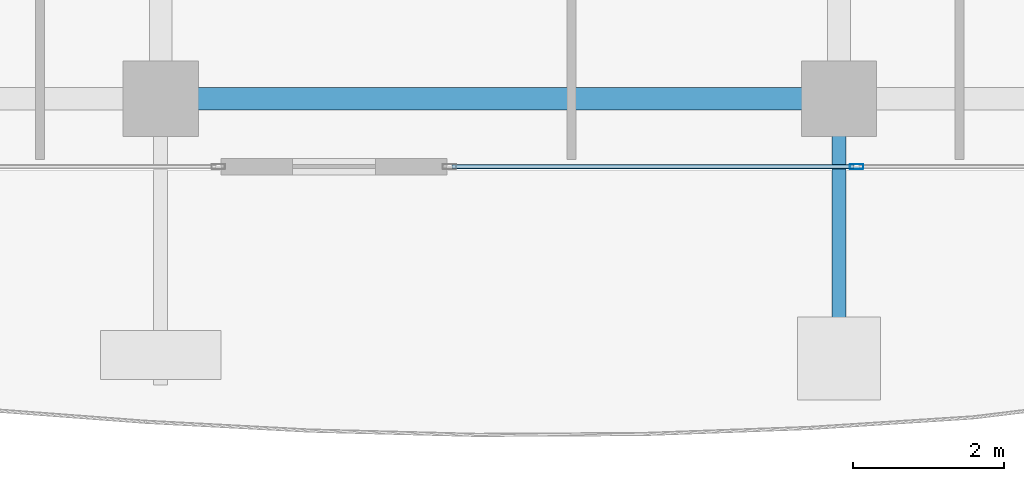
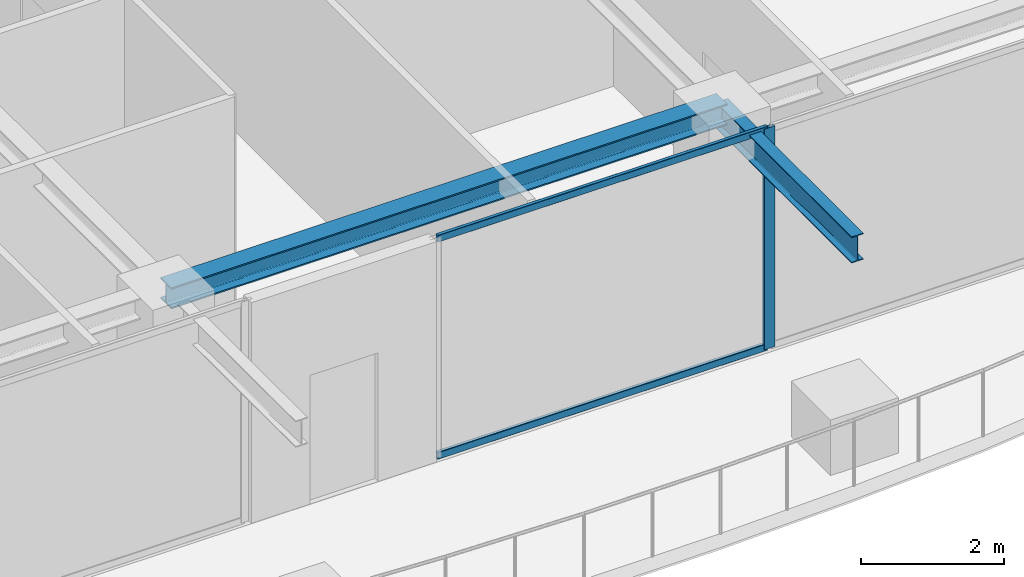
# One storey, part 5 of 37: 3 members, 2 beams, 1 element without a shape of its own.
"""IFC4 building model written with IfcOpenShell, lengths in metres."""

from ifc_helpers import new_model, si_unit, direction, frame, origin, origin_2d, place, context, subcontext, project, spatial, hollow_rectangle, i_section, extrude, source, transform, mapped, material, layer, layer_set, material_profile, profile_set, type_object, element, aggregate, save


model = new_model("IFC4")

# Units and contexts
model_context = context("Model", 3, precision=1e-05, world=origin(), true_north=direction((0.0, 1.0)))
body_context = subcontext(model_context, "Body", "Model", "MODEL_VIEW")
ifc_project = project(units=[si_unit("LENGTHUNIT", "METRE"), si_unit("AREAUNIT", "SQUARE_METRE"), si_unit("VOLUMEUNIT", "CUBIC_METRE"), si_unit("PLANEANGLEUNIT", "RADIAN"), si_unit("MASSUNIT", "GRAM", prefix="KILO")], contexts=[model_context])

# Site, building, storey
site_placement = place(None, origin())
site = spatial("IfcSite", under=ifc_project, at=site_placement, CompositionType="ELEMENT")
building_placement = place(site_placement, origin())
building = spatial("IfcBuilding", under=site, at=building_placement, Name="Serunith Strait Residences", CompositionType="ELEMENT")
storey_placement = place(building_placement, frame((0.0, 0.0, 305.60009765625)))
storey = spatial("IfcBuildingStorey", under=building, at=storey_placement, Name="L76", CompositionType="ELEMENT", Elevation=305.60009765625)

# Beams
ifc_material_1 = material(Name="Steel S355J2", Category="steel")
ifc_material_profile_1 = material_profile(ifc_material_1, i_section(OverallWidth=0.300048828125, OverallDepth=0.360107421875, WebThickness=0.012451171875, FlangeThickness=0.0224609375, FilletRadius=0.027099609375, at=origin_2d()), Name="HEB 360")
ifc_profile_set_1 = profile_set([ifc_material_profile_1], Name="Steel S355J2")
beam_type_1 = type_object("IfcBeamType", Name="BM-HEB360", PredefinedType="BEAM", material=ifc_profile_set_1)
shared_shape_1 = source(origin(), body_context, "Body", "SweptSolid", [
    extrude(i_section(OverallWidth=0.300048828125, OverallDepth=0.360107421875, WebThickness=0.012451171875, FlangeThickness=0.0224609375, FilletRadius=0.027099609375, at=origin_2d()), origin(), (0.0, 0.0, 1.0), 9.0),
])
beam_1_placement = place(storey_placement, frame((27.89990234375, 3.300048828125, 3.60693359375), z_axis=(1.0, 0.0, 0.0), x_axis=(0.0, 1.0, 0.0)))
element("IfcBeam", 1, at=beam_1_placement, inside=storey, type_object=beam_type_1, Name="L76 Perimeter Ring Beam 02", PredefinedType="BEAM", context=body_context, shape_type="MappedRepresentation", body=[
    mapped(shared_shape_1, transform((0.0, 0.0, 0.0), scale=1.0)),
])
ifc_material_profile_2 = material_profile(ifc_material_1, i_section(OverallWidth=0.18994140625, OverallDepth=0.449951171875, WebThickness=0.009521484375, FlangeThickness=0.0146484375, FilletRadius=0.02099609375, at=origin_2d()), Name="IPE 450")
ifc_profile_set_2 = profile_set([ifc_material_profile_2], Name="Steel S355J2")
beam_type_2 = type_object("IfcBeamType", Name="BM-IPE450", PredefinedType="JOIST", material=ifc_profile_set_2)
shared_shape_2 = source(origin(), body_context, "Body", "SweptSolid", [
    extrude(i_section(OverallWidth=0.18994140625, OverallDepth=0.449951171875, WebThickness=0.009521484375, FlangeThickness=0.0146484375, FilletRadius=0.02099609375, at=origin_2d()), origin(), (0.0, 0.0, 1.0), 3.800048828125),
])
beam_2_placement = place(storey_placement, frame((36.89990234375, 3.300048828125, 3.531982421875), z_axis=(0.0, -1.0, 0.0), x_axis=(1.0, 0.0, 0.0)))
element("IfcBeam", 2, at=beam_2_placement, inside=storey, type_object=beam_type_2, Name="L77 Cantilevered Balcony Rib TC-S3", PredefinedType="JOIST", context=body_context, shape_type="MappedRepresentation", body=[
    mapped(shared_shape_2, transform((0.0, 0.0, 0.0), scale=1.0)),
])

# Curtain wall, members
ifc_material_2 = material(Name="Brushed Stainless-Silver Aluminium", Category="aluminium")
ifc_layer = layer(ifc_material_2, 0.199951171875, Name="Brushed Stainless-Silver Aluminium")
ifc_layer_set = layer_set([ifc_layer], Name="Brushed Stainless-Silver Aluminium")
curtain_wall_type = type_object("IfcCurtainWallType", Name="CW-SYS5", PredefinedType="NOTDEFINED", material=ifc_layer_set)
curtain_wall_placement = place(storey_placement, origin())
curtain_wall = element("IfcCurtainWall", 3, at=curtain_wall_placement, inside=storey, type_object=curtain_wall_type, Name="L76 S Unitised Fritted Curtain Wall", PredefinedType="NOTDEFINED")
ifc_material_profile_3 = material_profile(ifc_material_2, hollow_rectangle(XDim=0.06494140625, YDim=0.179931640625, WallThickness=0.00341796875, InnerFilletRadius=0.00537109375, OuterFilletRadius=0.0087890625, at=origin_2d()), Name="ALU 180x65x3.5")
ifc_profile_set_3 = profile_set([ifc_material_profile_3], Name="Brushed Stainless-Silver Aluminium")
member_type_1 = type_object("IfcMemberType", Name="CW-SYS5-MULL", PredefinedType="MULLION", material=ifc_profile_set_3)
shared_shape_3 = source(origin(), body_context, "Body", "SweptSolid", [
    extrude(hollow_rectangle(XDim=0.06494140625, YDim=0.179931640625, WallThickness=0.00341796875, InnerFilletRadius=0.00537109375, OuterFilletRadius=0.0087890625, at=origin_2d()), origin(), (0.0, 0.0, 1.0), 3.77490234375),
])
member_1_placement = place(storey_placement, frame((37.13330078125, 2.39990234375, 0.0), z_axis=(0.0, 0.0, 1.0), x_axis=(0.0, 1.0, 0.0)))
member_1 = element("IfcMember", 4, at=member_1_placement, type_object=member_type_1, Name="CW-5 mullion 2", PredefinedType="MULLION", context=body_context, shape_type="MappedRepresentation", body=[
    mapped(shared_shape_3, transform((0.0, 0.0, 0.0), scale=1.0)),
])
ifc_material_profile_4 = material_profile(ifc_material_2, hollow_rectangle(XDim=0.06005859375, YDim=0.1201171875, WallThickness=0.00341796875, InnerFilletRadius=0.00537109375, OuterFilletRadius=0.0087890625, at=origin_2d()), Name="ALU 120x60x3.5")
ifc_profile_set_4 = profile_set([ifc_material_profile_4], Name="Brushed Stainless-Silver Aluminium")
member_type_2 = type_object("IfcMemberType", Name="CW-SYS5-TRAN", PredefinedType="USERDEFINED", material=ifc_profile_set_4)
shared_shape_4 = source(origin(), body_context, "Body", "SweptSolid", [
    extrude(hollow_rectangle(XDim=0.06005859375, YDim=0.1201171875, WallThickness=0.00341796875, InnerFilletRadius=0.00537109375, OuterFilletRadius=0.0087890625, at=origin_2d()), origin(), (0.0, 0.0, 1.0), 5.3359375),
])
member_2_placement = place(storey_placement, frame((31.764892578125, 2.39990234375, 0.02978515625), z_axis=(1.0, 0.0, 0.0), x_axis=(0.0, 1.0, 0.0)))
member_2 = element("IfcMember", 5, at=member_2_placement, type_object=member_type_2, Name="CW-5 transom 1.1", ObjectType="TRANSOM", PredefinedType="USERDEFINED", context=body_context, shape_type="MappedRepresentation", body=[
    mapped(shared_shape_4, transform((0.0, 0.0, 0.0), scale=1.0)),
])
member_3_placement = place(storey_placement, frame((31.764892578125, 2.39990234375, 3.744873046875), z_axis=(1.0, 0.0, 0.0), x_axis=(0.0, 1.0, 0.0)))
member_3 = element("IfcMember", 6, at=member_3_placement, type_object=member_type_2, Name="CW-5 transom 1.2", ObjectType="TRANSOM", PredefinedType="USERDEFINED", context=body_context, shape_type="MappedRepresentation", body=[
    mapped(shared_shape_4, transform((0.0, 0.0, 0.0), scale=1.0)),
])
aggregate(curtain_wall, [member_1, member_2, member_3])

save(model, "model.ifc")
